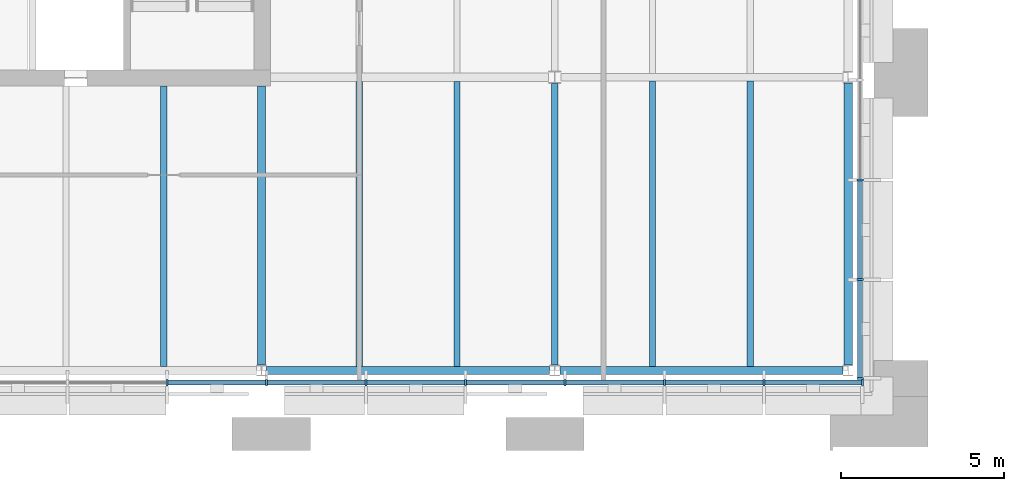
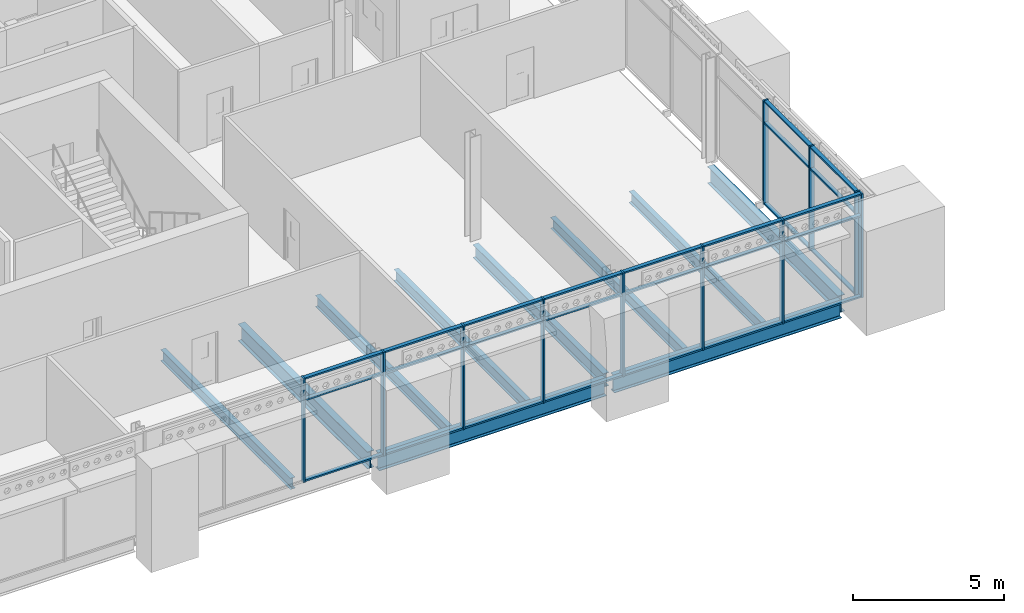
# One storey, part 12 of 37: 38 members, 10 beams, 2 elements without a shape of their own.
"""IFC4 building model written with IfcOpenShell, lengths in metres."""

from ifc_helpers import new_model, si_unit, direction, frame, origin, origin_2d, place, context, subcontext, project, spatial, rectangle, i_section, extrude, material, material_profile, profile_set, type_object, element, aggregate, save


model = new_model("IFC4")

# Units and contexts
model_context = context("Model", 3, precision=1e-05, world=origin(), true_north=direction((0.0, 1.0)))
body_context = subcontext(model_context, "Body", "Model", "MODEL_VIEW")
ifc_project = project(units=[si_unit("LENGTHUNIT", "METRE"), si_unit("AREAUNIT", "SQUARE_METRE"), si_unit("VOLUMEUNIT", "CUBIC_METRE"), si_unit("PLANEANGLEUNIT", "RADIAN"), si_unit("MASSUNIT", "GRAM", prefix="KILO")], contexts=[model_context])

# Site, building, storey
site_placement = place(None, origin())
site = spatial("IfcSite", under=ifc_project, at=site_placement, CompositionType="ELEMENT")
building_placement = place(site_placement, origin())
building = spatial("IfcBuilding", under=site, at=building_placement, Name="Baradari Gate Terminus", CompositionType="ELEMENT")
storey_placement = place(building_placement, frame((0.0, 0.0, 24.300048828125)))
storey = spatial("IfcBuildingStorey", under=building, at=storey_placement, Name="L05", CompositionType="ELEMENT", Elevation=24.300048828125)

# Curtain wall, members
ifc_material_1 = material(Name="Aluminium 6063-T6", Category="aluminium")
curtain_wall_type = type_object("IfcCurtainWallType", Name="Curtain wall CW-1 block unitised, zone L02-L05", PredefinedType="NOTDEFINED", material=ifc_material_1)
curtain_wall_1_placement = place(storey_placement, origin())
curtain_wall_1 = element("IfcCurtainWall", 1, at=curtain_wall_1_placement, inside=storey, type_object=curtain_wall_type, Name="Curtain wall CW-1 Operations block S face L05", PredefinedType="NOTDEFINED")
ifc_material_2 = material(Name="Aluminium 6063-T6", Category="aluminium")
ifc_material_profile_1 = material_profile(ifc_material_2, rectangle(XDim=0.199951171875, YDim=0.06494140625, at=origin_2d()), Name="CM-1 65X200")
ifc_profile_set_1 = profile_set([ifc_material_profile_1], Name="Aluminium 6063-T6")
member_type_1 = type_object("IfcMemberType", Name="Curtain wall mullion CM-1 65x200", PredefinedType="MULLION", material=ifc_profile_set_1)
member_1_placement = place(storey_placement, frame((42.1044921875, 116.6298828125, 0.0), z_axis=(0.0, 0.0, 1.0), x_axis=(0.0, 1.0, 0.0)))
member_1 = element("IfcMember", 2, at=member_1_placement, type_object=member_type_1, Name="CW-1 mullion 12", PredefinedType="MULLION", context=body_context, shape_type="SweptSolid", body=[
    extrude(rectangle(XDim=0.199951171875, YDim=0.06494140625, at=origin_2d()), origin(), (0.0, 0.0, 1.0), 4.199951171875),
])
member_2_placement = place(storey_placement, frame((45.15673828125, 116.6298828125, 0.0), z_axis=(0.0, 0.0, 1.0), x_axis=(0.0, 1.0, 0.0)))
member_2 = element("IfcMember", 3, at=member_2_placement, type_object=member_type_1, Name="CW-1 mullion 13", PredefinedType="MULLION", context=body_context, shape_type="SweptSolid", body=[
    extrude(rectangle(XDim=0.199951171875, YDim=0.06494140625, at=origin_2d()), origin(), (0.0, 0.0, 1.0), 4.199951171875),
])
member_3_placement = place(storey_placement, frame((48.208984375, 116.6298828125, 0.0), z_axis=(0.0, 0.0, 1.0), x_axis=(0.0, 1.0, 0.0)))
member_3 = element("IfcMember", 4, at=member_3_placement, type_object=member_type_1, Name="CW-1 mullion 14", PredefinedType="MULLION", context=body_context, shape_type="SweptSolid", body=[
    extrude(rectangle(XDim=0.199951171875, YDim=0.06494140625, at=origin_2d()), origin(), (0.0, 0.0, 1.0), 4.199951171875),
])
member_4_placement = place(storey_placement, frame((51.26123046875, 116.6298828125, 0.0), z_axis=(0.0, 0.0, 1.0), x_axis=(0.0, 1.0, 0.0)))
member_4 = element("IfcMember", 5, at=member_4_placement, type_object=member_type_1, Name="CW-1 mullion 15", PredefinedType="MULLION", context=body_context, shape_type="SweptSolid", body=[
    extrude(rectangle(XDim=0.199951171875, YDim=0.06494140625, at=origin_2d()), origin(), (0.0, 0.0, 1.0), 4.199951171875),
])
member_5_placement = place(storey_placement, frame((54.313232421875, 116.6298828125, 0.0), z_axis=(0.0, 0.0, 1.0), x_axis=(0.0, 1.0, 0.0)))
member_5 = element("IfcMember", 6, at=member_5_placement, type_object=member_type_1, Name="CW-1 mullion 16", PredefinedType="MULLION", context=body_context, shape_type="SweptSolid", body=[
    extrude(rectangle(XDim=0.199951171875, YDim=0.06494140625, at=origin_2d()), origin(), (0.0, 0.0, 1.0), 4.199951171875),
])
member_6_placement = place(storey_placement, frame((57.365478515625, 116.6298828125, 0.0), z_axis=(0.0, 0.0, 1.0), x_axis=(0.0, 1.0, 0.0)))
member_6 = element("IfcMember", 7, at=member_6_placement, type_object=member_type_1, Name="CW-1 mullion 17", PredefinedType="MULLION", context=body_context, shape_type="SweptSolid", body=[
    extrude(rectangle(XDim=0.199951171875, YDim=0.06494140625, at=origin_2d()), origin(), (0.0, 0.0, 1.0), 4.199951171875),
])
member_7_placement = place(storey_placement, frame((60.417724609375, 116.6298828125, 0.0), z_axis=(0.0, 0.0, 1.0), x_axis=(0.0, 1.0, 0.0)))
member_7 = element("IfcMember", 8, at=member_7_placement, type_object=member_type_1, Name="CW-1 mullion 18", PredefinedType="MULLION", context=body_context, shape_type="SweptSolid", body=[
    extrude(rectangle(XDim=0.199951171875, YDim=0.06494140625, at=origin_2d()), origin(), (0.0, 0.0, 1.0), 4.199951171875),
])
member_8_placement = place(storey_placement, frame((63.4375, 116.6298828125, 0.0), z_axis=(0.0, 0.0, 1.0), x_axis=(0.0, 1.0, 0.0)))
member_8 = element("IfcMember", 9, at=member_8_placement, type_object=member_type_1, Name="CW-1 mullion 19", PredefinedType="MULLION", context=body_context, shape_type="SweptSolid", body=[
    extrude(rectangle(XDim=0.199951171875, YDim=0.06494140625, at=origin_2d()), origin(), (0.0, 0.0, 1.0), 4.199951171875),
])

curtain_wall_2_placement = place(storey_placement, origin())
curtain_wall_2 = element("IfcCurtainWall", 10, at=curtain_wall_2_placement, inside=storey, type_object=curtain_wall_type, Name="Curtain wall CW-1 Operations block E face L05", PredefinedType="NOTDEFINED")
member_9_placement = place(storey_placement, frame((63.3701171875, 116.762451171875, 0.0), z_axis=(0.0, 0.0, 1.0), x_axis=(-1.0, 0.0, 0.0)))
member_9 = element("IfcMember", 11, at=member_9_placement, type_object=member_type_1, Name="CW-1 mullion 1", PredefinedType="MULLION", context=body_context, shape_type="SweptSolid", body=[
    extrude(rectangle(XDim=0.199951171875, YDim=0.06494140625, at=origin_2d()), origin(), (0.0, 0.0, 1.0), 4.199951171875),
])
member_10_placement = place(storey_placement, frame((63.3701171875, 119.7900390625, 0.0), z_axis=(0.0, 0.0, 1.0), x_axis=(-1.0, 0.0, 0.0)))
member_10 = element("IfcMember", 12, at=member_10_placement, type_object=member_type_1, Name="CW-1 mullion 2", PredefinedType="MULLION", context=body_context, shape_type="SweptSolid", body=[
    extrude(rectangle(XDim=0.199951171875, YDim=0.06494140625, at=origin_2d()), origin(), (0.0, 0.0, 1.0), 4.199951171875),
])
member_11_placement = place(storey_placement, frame((63.3701171875, 122.85009765625, 0.0), z_axis=(0.0, 0.0, 1.0), x_axis=(-1.0, 0.0, 0.0)))
member_11 = element("IfcMember", 13, at=member_11_placement, type_object=member_type_1, Name="CW-1 mullion 3", PredefinedType="MULLION", context=body_context, shape_type="SweptSolid", body=[
    extrude(rectangle(XDim=0.199951171875, YDim=0.06494140625, at=origin_2d()), origin(), (0.0, 0.0, 1.0), 4.199951171875),
])

# Member
ifc_material_3 = material(Name="Aluminium 6063-T6", Category="aluminium")
ifc_material_profile_2 = material_profile(ifc_material_3, rectangle(XDim=0.14990234375, YDim=0.06494140625, at=origin_2d()), Name="CT-1 65X150")
ifc_profile_set_2 = profile_set([ifc_material_profile_2], Name="Aluminium 6063-T6")
member_type_2 = type_object("IfcMemberType", Name="Curtain wall transom CT-1 65x150", PredefinedType="USERDEFINED", material=ifc_profile_set_2)
member_12_placement = place(storey_placement, frame((42.136962890625, 116.6298828125, 0.032470703125), z_axis=(1.0, 0.0, 0.0), x_axis=(0.0, 1.0, 0.0)))
member_12 = element("IfcMember", 14, at=member_12_placement, type_object=member_type_2, Name="CW-1 transom 12.1", ObjectType="TRANSOM", PredefinedType="USERDEFINED", context=body_context, shape_type="SweptSolid", body=[
    extrude(rectangle(XDim=0.14990234375, YDim=0.06494140625, at=origin_2d()), origin(), (0.0, 0.0, 1.0), 2.9873046875),
])

member_13_placement = place(storey_placement, frame((42.136962890625, 116.6298828125, 3.300048828125), z_axis=(1.0, 0.0, 0.0), x_axis=(0.0, 1.0, 0.0)))
member_13 = element("IfcMember", 15, at=member_13_placement, type_object=member_type_2, Name="CW-1 transom 12.2", ObjectType="TRANSOM", PredefinedType="USERDEFINED", context=body_context, shape_type="SweptSolid", body=[
    extrude(rectangle(XDim=0.14990234375, YDim=0.06494140625, at=origin_2d()), origin(), (0.0, 0.0, 1.0), 2.9873046875),
])

member_14_placement = place(storey_placement, frame((42.136962890625, 116.6298828125, 4.16748046875), z_axis=(1.0, 0.0, 0.0), x_axis=(0.0, 1.0, 0.0)))
member_14 = element("IfcMember", 16, at=member_14_placement, type_object=member_type_2, Name="CW-1 transom 12.3", ObjectType="TRANSOM", PredefinedType="USERDEFINED", context=body_context, shape_type="SweptSolid", body=[
    extrude(rectangle(XDim=0.14990234375, YDim=0.06494140625, at=origin_2d()), origin(), (0.0, 0.0, 1.0), 2.9873046875),
])

member_15_placement = place(storey_placement, frame((45.189208984375, 116.6298828125, 0.032470703125), z_axis=(1.0, 0.0, 0.0), x_axis=(0.0, 1.0, 0.0)))
member_15 = element("IfcMember", 17, at=member_15_placement, type_object=member_type_2, Name="CW-1 transom 13.1", ObjectType="TRANSOM", PredefinedType="USERDEFINED", context=body_context, shape_type="SweptSolid", body=[
    extrude(rectangle(XDim=0.14990234375, YDim=0.06494140625, at=origin_2d()), origin(), (0.0, 0.0, 1.0), 2.987060546875),
])

member_16_placement = place(storey_placement, frame((45.189208984375, 116.6298828125, 3.300048828125), z_axis=(1.0, 0.0, 0.0), x_axis=(0.0, 1.0, 0.0)))
member_16 = element("IfcMember", 18, at=member_16_placement, type_object=member_type_2, Name="CW-1 transom 13.2", ObjectType="TRANSOM", PredefinedType="USERDEFINED", context=body_context, shape_type="SweptSolid", body=[
    extrude(rectangle(XDim=0.14990234375, YDim=0.06494140625, at=origin_2d()), origin(), (0.0, 0.0, 1.0), 2.987060546875),
])

member_17_placement = place(storey_placement, frame((45.189208984375, 116.6298828125, 4.16748046875), z_axis=(1.0, 0.0, 0.0), x_axis=(0.0, 1.0, 0.0)))
member_17 = element("IfcMember", 19, at=member_17_placement, type_object=member_type_2, Name="CW-1 transom 13.3", ObjectType="TRANSOM", PredefinedType="USERDEFINED", context=body_context, shape_type="SweptSolid", body=[
    extrude(rectangle(XDim=0.14990234375, YDim=0.06494140625, at=origin_2d()), origin(), (0.0, 0.0, 1.0), 2.987060546875),
])

member_18_placement = place(storey_placement, frame((48.241455078125, 116.6298828125, 0.032470703125), z_axis=(1.0, 0.0, 0.0), x_axis=(0.0, 1.0, 0.0)))
member_18 = element("IfcMember", 20, at=member_18_placement, type_object=member_type_2, Name="CW-1 transom 14.1", ObjectType="TRANSOM", PredefinedType="USERDEFINED", context=body_context, shape_type="SweptSolid", body=[
    extrude(rectangle(XDim=0.14990234375, YDim=0.06494140625, at=origin_2d()), origin(), (0.0, 0.0, 1.0), 2.987060546875),
])

member_19_placement = place(storey_placement, frame((48.241455078125, 116.6298828125, 3.300048828125), z_axis=(1.0, 0.0, 0.0), x_axis=(0.0, 1.0, 0.0)))
member_19 = element("IfcMember", 21, at=member_19_placement, type_object=member_type_2, Name="CW-1 transom 14.2", ObjectType="TRANSOM", PredefinedType="USERDEFINED", context=body_context, shape_type="SweptSolid", body=[
    extrude(rectangle(XDim=0.14990234375, YDim=0.06494140625, at=origin_2d()), origin(), (0.0, 0.0, 1.0), 2.987060546875),
])

member_20_placement = place(storey_placement, frame((48.241455078125, 116.6298828125, 4.16748046875), z_axis=(1.0, 0.0, 0.0), x_axis=(0.0, 1.0, 0.0)))
member_20 = element("IfcMember", 22, at=member_20_placement, type_object=member_type_2, Name="CW-1 transom 14.3", ObjectType="TRANSOM", PredefinedType="USERDEFINED", context=body_context, shape_type="SweptSolid", body=[
    extrude(rectangle(XDim=0.14990234375, YDim=0.06494140625, at=origin_2d()), origin(), (0.0, 0.0, 1.0), 2.987060546875),
])

member_21_placement = place(storey_placement, frame((51.293701171875, 116.6298828125, 0.032470703125), z_axis=(1.0, 0.0, 0.0), x_axis=(0.0, 1.0, 0.0)))
member_21 = element("IfcMember", 23, at=member_21_placement, type_object=member_type_2, Name="CW-1 transom 15.1", ObjectType="TRANSOM", PredefinedType="USERDEFINED", context=body_context, shape_type="SweptSolid", body=[
    extrude(rectangle(XDim=0.14990234375, YDim=0.06494140625, at=origin_2d()), origin(), (0.0, 0.0, 1.0), 2.987060546875),
])

member_22_placement = place(storey_placement, frame((51.293701171875, 116.6298828125, 3.300048828125), z_axis=(1.0, 0.0, 0.0), x_axis=(0.0, 1.0, 0.0)))
member_22 = element("IfcMember", 24, at=member_22_placement, type_object=member_type_2, Name="CW-1 transom 15.2", ObjectType="TRANSOM", PredefinedType="USERDEFINED", context=body_context, shape_type="SweptSolid", body=[
    extrude(rectangle(XDim=0.14990234375, YDim=0.06494140625, at=origin_2d()), origin(), (0.0, 0.0, 1.0), 2.987060546875),
])

member_23_placement = place(storey_placement, frame((51.293701171875, 116.6298828125, 4.16748046875), z_axis=(1.0, 0.0, 0.0), x_axis=(0.0, 1.0, 0.0)))
member_23 = element("IfcMember", 25, at=member_23_placement, type_object=member_type_2, Name="CW-1 transom 15.3", ObjectType="TRANSOM", PredefinedType="USERDEFINED", context=body_context, shape_type="SweptSolid", body=[
    extrude(rectangle(XDim=0.14990234375, YDim=0.06494140625, at=origin_2d()), origin(), (0.0, 0.0, 1.0), 2.987060546875),
])

member_24_placement = place(storey_placement, frame((54.345947265625, 116.6298828125, 0.032470703125), z_axis=(1.0, 0.0, 0.0), x_axis=(0.0, 1.0, 0.0)))
member_24 = element("IfcMember", 26, at=member_24_placement, type_object=member_type_2, Name="CW-1 transom 16.1", ObjectType="TRANSOM", PredefinedType="USERDEFINED", context=body_context, shape_type="SweptSolid", body=[
    extrude(rectangle(XDim=0.14990234375, YDim=0.06494140625, at=origin_2d()), origin(), (0.0, 0.0, 1.0), 2.987060546875),
])

member_25_placement = place(storey_placement, frame((54.345947265625, 116.6298828125, 3.300048828125), z_axis=(1.0, 0.0, 0.0), x_axis=(0.0, 1.0, 0.0)))
member_25 = element("IfcMember", 27, at=member_25_placement, type_object=member_type_2, Name="CW-1 transom 16.2", ObjectType="TRANSOM", PredefinedType="USERDEFINED", context=body_context, shape_type="SweptSolid", body=[
    extrude(rectangle(XDim=0.14990234375, YDim=0.06494140625, at=origin_2d()), origin(), (0.0, 0.0, 1.0), 2.987060546875),
])

member_26_placement = place(storey_placement, frame((54.345947265625, 116.6298828125, 4.16748046875), z_axis=(1.0, 0.0, 0.0), x_axis=(0.0, 1.0, 0.0)))
member_26 = element("IfcMember", 28, at=member_26_placement, type_object=member_type_2, Name="CW-1 transom 16.3", ObjectType="TRANSOM", PredefinedType="USERDEFINED", context=body_context, shape_type="SweptSolid", body=[
    extrude(rectangle(XDim=0.14990234375, YDim=0.06494140625, at=origin_2d()), origin(), (0.0, 0.0, 1.0), 2.987060546875),
])

member_27_placement = place(storey_placement, frame((57.39794921875, 116.6298828125, 0.032470703125), z_axis=(1.0, 0.0, 0.0), x_axis=(0.0, 1.0, 0.0)))
member_27 = element("IfcMember", 29, at=member_27_placement, type_object=member_type_2, Name="CW-1 transom 17.1", ObjectType="TRANSOM", PredefinedType="USERDEFINED", context=body_context, shape_type="SweptSolid", body=[
    extrude(rectangle(XDim=0.14990234375, YDim=0.06494140625, at=origin_2d()), origin(), (0.0, 0.0, 1.0), 2.9873046875),
])

member_28_placement = place(storey_placement, frame((57.39794921875, 116.6298828125, 3.300048828125), z_axis=(1.0, 0.0, 0.0), x_axis=(0.0, 1.0, 0.0)))
member_28 = element("IfcMember", 30, at=member_28_placement, type_object=member_type_2, Name="CW-1 transom 17.2", ObjectType="TRANSOM", PredefinedType="USERDEFINED", context=body_context, shape_type="SweptSolid", body=[
    extrude(rectangle(XDim=0.14990234375, YDim=0.06494140625, at=origin_2d()), origin(), (0.0, 0.0, 1.0), 2.9873046875),
])

member_29_placement = place(storey_placement, frame((57.39794921875, 116.6298828125, 4.16748046875), z_axis=(1.0, 0.0, 0.0), x_axis=(0.0, 1.0, 0.0)))
member_29 = element("IfcMember", 31, at=member_29_placement, type_object=member_type_2, Name="CW-1 transom 17.3", ObjectType="TRANSOM", PredefinedType="USERDEFINED", context=body_context, shape_type="SweptSolid", body=[
    extrude(rectangle(XDim=0.14990234375, YDim=0.06494140625, at=origin_2d()), origin(), (0.0, 0.0, 1.0), 2.9873046875),
])

member_30_placement = place(storey_placement, frame((60.4501953125, 116.6298828125, 0.032470703125), z_axis=(1.0, 0.0, 0.0), x_axis=(0.0, 1.0, 0.0)))
member_30 = element("IfcMember", 32, at=member_30_placement, type_object=member_type_2, Name="CW-1 transom 18.1", ObjectType="TRANSOM", PredefinedType="USERDEFINED", context=body_context, shape_type="SweptSolid", body=[
    extrude(rectangle(XDim=0.14990234375, YDim=0.06494140625, at=origin_2d()), origin(), (0.0, 0.0, 1.0), 2.954833984375),
])

member_31_placement = place(storey_placement, frame((60.4501953125, 116.6298828125, 3.300048828125), z_axis=(1.0, 0.0, 0.0), x_axis=(0.0, 1.0, 0.0)))
member_31 = element("IfcMember", 33, at=member_31_placement, type_object=member_type_2, Name="CW-1 transom 18.2", ObjectType="TRANSOM", PredefinedType="USERDEFINED", context=body_context, shape_type="SweptSolid", body=[
    extrude(rectangle(XDim=0.14990234375, YDim=0.06494140625, at=origin_2d()), origin(), (0.0, 0.0, 1.0), 2.954833984375),
])

member_32_placement = place(storey_placement, frame((60.4501953125, 116.6298828125, 4.16748046875), z_axis=(1.0, 0.0, 0.0), x_axis=(0.0, 1.0, 0.0)))
member_32 = element("IfcMember", 34, at=member_32_placement, type_object=member_type_2, Name="CW-1 transom 18.3", ObjectType="TRANSOM", PredefinedType="USERDEFINED", context=body_context, shape_type="SweptSolid", body=[
    extrude(rectangle(XDim=0.14990234375, YDim=0.06494140625, at=origin_2d()), origin(), (0.0, 0.0, 1.0), 2.954833984375),
])

aggregate(curtain_wall_1, [member_1, member_2, member_3, member_4, member_5, member_6, member_7, member_8, member_12, member_13, member_14, member_15, member_16, member_17, member_18, member_19, member_20, member_21, member_22, member_23, member_24, member_25, member_26, member_27, member_28, member_29, member_30, member_31, member_32])

member_33_placement = place(storey_placement, frame((63.3701171875, 116.794921875, 0.032470703125), z_axis=(0.0, 1.0, 0.0), x_axis=(-1.0, 0.0, 0.0)))
member_33 = element("IfcMember", 35, at=member_33_placement, type_object=member_type_2, Name="CW-1 transom 1.1", ObjectType="TRANSOM", PredefinedType="USERDEFINED", context=body_context, shape_type="SweptSolid", body=[
    extrude(rectangle(XDim=0.14990234375, YDim=0.06494140625, at=origin_2d()), origin(), (0.0, 0.0, 1.0), 2.962646484375),
])

member_34_placement = place(storey_placement, frame((63.3701171875, 116.794921875, 3.300048828125), z_axis=(0.0, 1.0, 0.0), x_axis=(-1.0, 0.0, 0.0)))
member_34 = element("IfcMember", 36, at=member_34_placement, type_object=member_type_2, Name="CW-1 transom 1.2", ObjectType="TRANSOM", PredefinedType="USERDEFINED", context=body_context, shape_type="SweptSolid", body=[
    extrude(rectangle(XDim=0.14990234375, YDim=0.06494140625, at=origin_2d()), origin(), (0.0, 0.0, 1.0), 2.962646484375),
])

member_35_placement = place(storey_placement, frame((63.3701171875, 116.794921875, 4.16748046875), z_axis=(0.0, 1.0, 0.0), x_axis=(-1.0, 0.0, 0.0)))
member_35 = element("IfcMember", 37, at=member_35_placement, type_object=member_type_2, Name="CW-1 transom 1.3", ObjectType="TRANSOM", PredefinedType="USERDEFINED", context=body_context, shape_type="SweptSolid", body=[
    extrude(rectangle(XDim=0.14990234375, YDim=0.06494140625, at=origin_2d()), origin(), (0.0, 0.0, 1.0), 2.962646484375),
])

member_36_placement = place(storey_placement, frame((63.3701171875, 119.822509765625, 0.032470703125), z_axis=(0.0, 1.0, 0.0), x_axis=(-1.0, 0.0, 0.0)))
member_36 = element("IfcMember", 38, at=member_36_placement, type_object=member_type_2, Name="CW-1 transom 2.1", ObjectType="TRANSOM", PredefinedType="USERDEFINED", context=body_context, shape_type="SweptSolid", body=[
    extrude(rectangle(XDim=0.14990234375, YDim=0.06494140625, at=origin_2d()), origin(), (0.0, 0.0, 1.0), 2.994873046875),
])

member_37_placement = place(storey_placement, frame((63.3701171875, 119.822509765625, 3.300048828125), z_axis=(0.0, 1.0, 0.0), x_axis=(-1.0, 0.0, 0.0)))
member_37 = element("IfcMember", 39, at=member_37_placement, type_object=member_type_2, Name="CW-1 transom 2.2", ObjectType="TRANSOM", PredefinedType="USERDEFINED", context=body_context, shape_type="SweptSolid", body=[
    extrude(rectangle(XDim=0.14990234375, YDim=0.06494140625, at=origin_2d()), origin(), (0.0, 0.0, 1.0), 2.994873046875),
])

member_38_placement = place(storey_placement, frame((63.3701171875, 119.822509765625, 4.16748046875), z_axis=(0.0, 1.0, 0.0), x_axis=(-1.0, 0.0, 0.0)))
member_38 = element("IfcMember", 40, at=member_38_placement, type_object=member_type_2, Name="CW-1 transom 2.3", ObjectType="TRANSOM", PredefinedType="USERDEFINED", context=body_context, shape_type="SweptSolid", body=[
    extrude(rectangle(XDim=0.14990234375, YDim=0.06494140625, at=origin_2d()), origin(), (0.0, 0.0, 1.0), 2.994873046875),
])

aggregate(curtain_wall_2, [member_9, member_10, member_11, member_33, member_34, member_35, member_36, member_37, member_38])

# Beams
ifc_material_4 = material(Name="Steel S355", Category="steel")
ifc_material_profile_3 = material_profile(ifc_material_4, i_section(OverallWidth=0.25439453125, OverallDepth=0.6875, WebThickness=0.01318359375, FlangeThickness=0.02099609375, FilletRadius=0.01513671875, at=origin_2d()), Name="UB 686x254x152")
ifc_profile_set_3 = profile_set([ifc_material_profile_3], Name="Steel S355")
beam_type_1 = type_object("IfcBeamType", Name="Operations block coupling beam B26 UB 686x254x152", PredefinedType="BEAM", material=ifc_profile_set_3)
beam_1_placement = place(storey_placement, frame((45.0, 117.169921875, -0.473876953125), z_axis=(0.0, 1.0, 0.0), x_axis=(-1.0, 0.0, 0.0)))
element("IfcBeam", 41, at=beam_1_placement, inside=storey, type_object=beam_type_1, Name="Operations block coupling beam B26 6:117.17-125.725 L05", PredefinedType="BEAM", context=body_context, shape_type="SweptSolid", body=[
    extrude(i_section(OverallWidth=0.25439453125, OverallDepth=0.6875, WebThickness=0.01318359375, FlangeThickness=0.02099609375, FilletRadius=0.01513671875, at=origin_2d()), origin(), (0.0, 0.0, 1.0), 8.55517578125),
])
ifc_material_5 = material(Name="Steel S355", Category="steel")
ifc_material_profile_4 = material_profile(ifc_material_5, i_section(OverallWidth=0.210693359375, OverallDepth=0.53955078125, WebThickness=0.01171875, FlangeThickness=0.018798828125, FilletRadius=0.0126953125, at=origin_2d()), Name="UB 533x210x109")
ifc_profile_set_4 = profile_set([ifc_material_profile_4], Name="Steel S355")
beam_type_2 = type_object("IfcBeamType", Name="Operations block girder B29 UB 533x210x109", PredefinedType="BEAM", material=ifc_profile_set_4)
beam_2_placement = place(storey_placement, frame((54.0, 117.169921875, -0.39990234375), z_axis=(0.0, 1.0, 0.0), x_axis=(-1.0, 0.0, 0.0)))
element("IfcBeam", 42, at=beam_2_placement, inside=storey, type_object=beam_type_2, Name="Operations block girder B29 7:117.17-125.809 L05", PredefinedType="BEAM", context=body_context, shape_type="SweptSolid", body=[
    extrude(i_section(OverallWidth=0.210693359375, OverallDepth=0.53955078125, WebThickness=0.01171875, FlangeThickness=0.018798828125, FilletRadius=0.0126953125, at=origin_2d()), origin(), (0.0, 0.0, 1.0), 8.6396484375),
])
ifc_material_6 = material(Name="Steel S355", Category="steel")
ifc_material_profile_5 = material_profile(ifc_material_6, i_section(OverallWidth=0.25439453125, OverallDepth=0.6875, WebThickness=0.01318359375, FlangeThickness=0.02099609375, FilletRadius=0.01513671875, at=origin_2d()), Name="UB 686x254x152")
ifc_profile_set_5 = profile_set([ifc_material_profile_5], Name="Steel S355")
beam_type_3 = type_object("IfcBeamType", Name="Operations block moment frame beam B32 UB 686x254x152", PredefinedType="BEAM", material=ifc_profile_set_5)
for number, where, z_axis, x_axis, name in (
    (43, (45.1572265625, 117.0, -0.473876953125), (1.0, 0.0, 0.0), (0.0, 1.0, 0.0), "Operations block moment frame beam B32 P:45.157-53.843 L05"),
    (44, (54.1572265625, 117.0, -0.473876953125), (1.0, 0.0, 0.0), (0.0, 1.0, 0.0), "Operations block moment frame beam B32 P:54.157-62.843 L05"),
):
    element("IfcBeam", number, at=place(storey_placement, frame(where, z_axis=z_axis, x_axis=x_axis)), inside=storey, type_object=beam_type_3, Name=name, PredefinedType="BEAM", context=body_context, shape_type="SweptSolid", body=[
        extrude(i_section(OverallWidth=0.25439453125, OverallDepth=0.6875, WebThickness=0.01318359375, FlangeThickness=0.02099609375, FilletRadius=0.01513671875, at=origin_2d()), origin(), (0.0, 0.0, 1.0), 8.685546875),
    ])
beam_3_placement = place(storey_placement, frame((63.0, 117.169921875, -0.473876953125), z_axis=(0.0, 1.0, 0.0), x_axis=(-1.0, 0.0, 0.0)))
element("IfcBeam", 45, at=beam_3_placement, inside=storey, type_object=beam_type_3, Name="Operations block moment frame beam B32 8:117.17-125.83 L05", PredefinedType="BEAM", context=body_context, shape_type="SweptSolid", body=[
    extrude(i_section(OverallWidth=0.25439453125, OverallDepth=0.6875, WebThickness=0.01318359375, FlangeThickness=0.02099609375, FilletRadius=0.01513671875, at=origin_2d()), origin(), (0.0, 0.0, 1.0), 8.66015625),
])
ifc_material_7 = material(Name="Steel S355", Category="steel")
ifc_material_profile_6 = material_profile(ifc_material_7, i_section(OverallWidth=0.18994140625, OverallDepth=0.453369140625, WebThickness=0.008544921875, FlangeThickness=0.0126953125, FilletRadius=0.01025390625, at=origin_2d()), Name="UB 457x191x67")
ifc_profile_set_6 = profile_set([ifc_material_profile_6], Name="Steel S355")
beam_type_4 = type_object("IfcBeamType", Name="Operations block secondary beam B28 UB 457x191x67", PredefinedType="BEAM", material=ifc_profile_set_6)
beam_4_placement = place(storey_placement, frame((42.0, 117.127197265625, -0.356689453125), z_axis=(0.0, 1.0, 0.0), x_axis=(-1.0, 0.0, 0.0)))
element("IfcBeam", 46, at=beam_4_placement, inside=storey, type_object=beam_type_4, Name="Operations block secondary beam B28 42:117.127-125.725 L05", PredefinedType="BEAM", context=body_context, shape_type="SweptSolid", body=[
    extrude(i_section(OverallWidth=0.18994140625, OverallDepth=0.453369140625, WebThickness=0.008544921875, FlangeThickness=0.0126953125, FilletRadius=0.01025390625, at=origin_2d()), origin(), (0.0, 0.0, 1.0), 8.597900390625),
])
for number, where, z_axis, x_axis, name in (
    (47, (48.0, 117.127197265625, -0.356689453125), (0.0, 1.0, 0.0), (-1.0, 0.0, 0.0), "Operations block secondary beam B28 48:117.127-125.873 L05"),
    (48, (51.0, 117.127197265625, -0.356689453125), (0.0, 1.0, 0.0), (-1.0, 0.0, 0.0), "Operations block secondary beam B28 51:117.127-125.873 L05"),
):
    element("IfcBeam", number, at=place(storey_placement, frame(where, z_axis=z_axis, x_axis=x_axis)), inside=storey, type_object=beam_type_4, Name=name, PredefinedType="BEAM", context=body_context, shape_type="SweptSolid", body=[
        extrude(i_section(OverallWidth=0.18994140625, OverallDepth=0.453369140625, WebThickness=0.008544921875, FlangeThickness=0.0126953125, FilletRadius=0.01025390625, at=origin_2d()), origin(), (0.0, 0.0, 1.0), 8.74560546875),
    ])
for number, where, z_axis, x_axis, name in (
    (49, (57.0, 117.127197265625, -0.356689453125), (0.0, 1.0, 0.0), (-1.0, 0.0, 0.0), "Operations block secondary beam B28 57:117.127-125.885 L05"),
    (50, (60.0, 117.127197265625, -0.356689453125), (0.0, 1.0, 0.0), (-1.0, 0.0, 0.0), "Operations block secondary beam B28 60:117.127-125.885 L05"),
):
    element("IfcBeam", number, at=place(storey_placement, frame(where, z_axis=z_axis, x_axis=x_axis)), inside=storey, type_object=beam_type_4, Name=name, PredefinedType="BEAM", context=body_context, shape_type="SweptSolid", body=[
        extrude(i_section(OverallWidth=0.18994140625, OverallDepth=0.453369140625, WebThickness=0.008544921875, FlangeThickness=0.0126953125, FilletRadius=0.01025390625, at=origin_2d()), origin(), (0.0, 0.0, 1.0), 8.75830078125),
    ])

save(model, "model.ifc")
